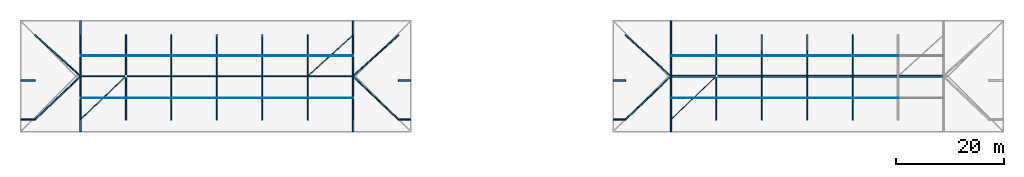
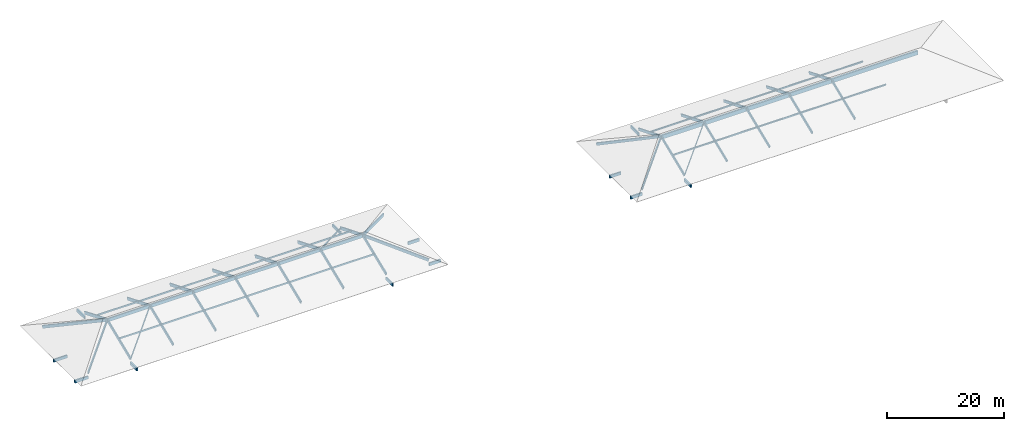
# One storey, part 1 of 5: 55 members, 14 beams.
"""IFC4 building model written with IfcOpenShell, lengths in metres."""

from ifc_helpers import new_model, si_unit, direction, frame, origin, origin_2d, place, context, subcontext, project, spatial, rectangle, hollow_rectangle, extrude, material, material_profile, profile_set, type_object, element, save


model = new_model("IFC4")

# Units and contexts
model_context = context("Model", 3, precision=1e-05, world=origin(), true_north=direction((0.0, 1.0)))
body_context = subcontext(model_context, "Body", "Model", "MODEL_VIEW")
ifc_project = project(units=[si_unit("LENGTHUNIT", "METRE"), si_unit("AREAUNIT", "SQUARE_METRE"), si_unit("VOLUMEUNIT", "CUBIC_METRE"), si_unit("PLANEANGLEUNIT", "RADIAN"), si_unit("MASSUNIT", "GRAM", prefix="KILO")], contexts=[model_context])

# Site, building, storey
site_placement = place(None, origin())
site = spatial("IfcSite", under=ifc_project, at=site_placement, CompositionType="ELEMENT")
building_placement = place(site_placement, origin())
building = spatial("IfcBuilding", under=site, at=building_placement, Name="Varncliffe General Hospital", CompositionType="ELEMENT")
storey_placement = place(building_placement, frame((0.0, 0.0, 37.199951171875)))
storey = spatial("IfcBuildingStorey", under=building, at=storey_placement, Name="RF", CompositionType="ELEMENT", Elevation=37.199951171875)

# Beams
ifc_material_1 = material(Name="Glulam GL28h (CSA O86 24f-EX, 30 MPa)", Category="wood")
ifc_material_profile_1 = material_profile(ifc_material_1, rectangle(XDim=0.264892578125, YDim=0.68408203125, at=origin_2d()), Name="GL 265x684")
ifc_profile_set_1 = profile_set([ifc_material_profile_1], Name="Glulam GL28h (CSA O86 24f-EX, 30 MPa)")
beam_type_1 = type_object("IfcBeamType", Name="Beam B72 (Int GL 265x684)", PredefinedType="BEAM", material=ifc_profile_set_1)
beam_1_placement = place(storey_placement, frame((8.239990234375, 117.199951171875, 3.59716796875), z_axis=(1.0, 0.0, 0.0), x_axis=(0.0, 1.0, 0.0)))
element("IfcBeam", 1, at=beam_1_placement, inside=storey, type_object=beam_type_1, Name="RF RF-V6-NW Glulam Ridge Girder", PredefinedType="BEAM", context=body_context, shape_type="SweptSolid", body=[
    extrude(rectangle(XDim=0.264892578125, YDim=0.68408203125, at=origin_2d()), origin(), (0.0, 0.0, 1.0), 50.719970703125),
])
ifc_material_profile_2 = material_profile(ifc_material_1, rectangle(XDim=0.31494140625, YDim=0.8359375, at=origin_2d()), Name="GL 315x836")
ifc_profile_set_2 = profile_set([ifc_material_profile_2], Name="Glulam GL28h (CSA O86 24f-EX, 30 MPa)")
beam_type_2 = type_object("IfcBeamType", Name="Beam B74 (Int GL 315x836)", PredefinedType="BEAM", material=ifc_profile_set_2)
beam_2_placement = place(storey_placement, frame((117.43994140625, 117.199951171875, 3.499267578125), z_axis=(1.0, 0.0, 0.0), x_axis=(0.0, 1.0, 0.0)))
element("IfcBeam", 2, at=beam_2_placement, inside=storey, type_object=beam_type_2, Name="RF RF-V6-NE Glulam Ridge Girder", PredefinedType="BEAM", context=body_context, shape_type="SweptSolid", body=[
    extrude(rectangle(XDim=0.31494140625, YDim=0.8359375, at=origin_2d()), origin(), (0.0, 0.0, 1.0), 50.719970703125),
])
ifc_material_profile_3 = material_profile(ifc_material_1, rectangle(XDim=0.264892578125, YDim=0.60791015625, at=origin_2d()), Name="GL 265x608")
ifc_profile_set_3 = profile_set([ifc_material_profile_3], Name="Glulam GL28h (CSA O86 24f-EX, 30 MPa)")
beam_type_3 = type_object("IfcBeamType", Name="Beam B82 (Ext GL 265x608)", PredefinedType="BEAM", material=ifc_profile_set_3)
for number, where, z_axis, x_axis, name in (
    (3, (8.39990234375, 106.93994140625, -0.499755859375), (0.0, 1.0, 0.0), (-1.0, 0.0, 0.0), "RF RF-V6-NW South Eave Lookout Bracket 1"),
    (4, (58.800048828125, 106.93994140625, -0.499755859375), (0.0, 1.0, 0.0), (-1.0, 0.0, 0.0), "RF RF-V6-NW South Eave Lookout Bracket 2"),
):
    element("IfcBeam", number, at=place(storey_placement, frame(where, z_axis=z_axis, x_axis=x_axis)), inside=storey, type_object=beam_type_3, Name=name, PredefinedType="BEAM", context=body_context, shape_type="SweptSolid", body=[
        extrude(rectangle(XDim=0.264892578125, YDim=0.60791015625, at=origin_2d()), origin(), (0.0, 0.0, 1.0), 2.260009765625),
    ])
for number, where, z_axis, x_axis, name in (
    (5, (8.39990234375, 124.800048828125, -0.499755859375), (0.0, 1.0, 0.0), (-1.0, 0.0, 0.0), "RF RF-V6-NW North Eave Lookout Bracket 1"),
    (6, (58.800048828125, 124.800048828125, -0.499755859375), (0.0, 1.0, 0.0), (-1.0, 0.0, 0.0), "RF RF-V6-NW North Eave Lookout Bracket 2"),
    (7, (-2.659912109375, 116.39990234375, -0.499755859375), (1.0, 0.0, 0.0), (0.0, 1.0, 0.0), "RF RF-V6-NW West Eave Lookout Bracket 1"),
    (8, (-2.659912109375, 109.199951171875, -0.499755859375), (1.0, 0.0, 0.0), (0.0, 1.0, 0.0), "RF RF-V6-NW West Eave Lookout Bracket 2"),
):
    element("IfcBeam", number, at=place(storey_placement, frame(where, z_axis=z_axis, x_axis=x_axis)), inside=storey, type_object=beam_type_3, Name=name, PredefinedType="BEAM", context=body_context, shape_type="SweptSolid", body=[
        extrude(rectangle(XDim=0.264892578125, YDim=0.60791015625, at=origin_2d()), origin(), (0.0, 0.0, 1.0), 2.659912109375),
    ])
for number, where, z_axis, x_axis, name in (
    (9, (67.199951171875, 116.39990234375, -0.499755859375), (1.0, 0.0, 0.0), (0.0, 1.0, 0.0), "RF RF-V6-NW East Eave Lookout Bracket 1"),
    (10, (67.199951171875, 109.199951171875, -0.499755859375), (1.0, 0.0, 0.0), (0.0, 1.0, 0.0), "RF RF-V6-NW East Eave Lookout Bracket 2"),
    (11, (117.60009765625, 106.93994140625, -0.521240234375), (0.0, 1.0, 0.0), (-1.0, 0.0, 0.0), "RF RF-V6-NE South Eave Lookout Bracket 1"),
):
    element("IfcBeam", number, at=place(storey_placement, frame(where, z_axis=z_axis, x_axis=x_axis)), inside=storey, type_object=beam_type_3, Name=name, PredefinedType="BEAM", context=body_context, shape_type="SweptSolid", body=[
        extrude(rectangle(XDim=0.264892578125, YDim=0.60791015625, at=origin_2d()), origin(), (0.0, 0.0, 1.0), 2.260009765625),
    ])
beam_3_placement = place(storey_placement, frame((117.60009765625, 124.800048828125, -0.521240234375), z_axis=(0.0, 1.0, 0.0), x_axis=(-1.0, 0.0, 0.0)))
element("IfcBeam", 12, at=beam_3_placement, inside=storey, type_object=beam_type_3, Name="RF RF-V6-NE North Eave Lookout Bracket 1", PredefinedType="BEAM", context=body_context, shape_type="SweptSolid", body=[
    extrude(rectangle(XDim=0.264892578125, YDim=0.60791015625, at=origin_2d()), origin(), (0.0, 0.0, 1.0), 2.659912109375),
])
for number, where, z_axis, x_axis, name in (
    (13, (106.93994140625, 116.39990234375, -0.521240234375), (1.0, 0.0, 0.0), (0.0, 1.0, 0.0), "RF RF-V6-NE West Eave Lookout Bracket 1"),
    (14, (106.93994140625, 109.199951171875, -0.521240234375), (1.0, 0.0, 0.0), (0.0, 1.0, 0.0), "RF RF-V6-NE West Eave Lookout Bracket 2"),
):
    element("IfcBeam", number, at=place(storey_placement, frame(where, z_axis=z_axis, x_axis=x_axis)), inside=storey, type_object=beam_type_3, Name=name, PredefinedType="BEAM", context=body_context, shape_type="SweptSolid", body=[
        extrude(rectangle(XDim=0.264892578125, YDim=0.60791015625, at=origin_2d()), origin(), (0.0, 0.0, 1.0), 2.260009765625),
    ])

# Members
ifc_material_profile_4 = material_profile(ifc_material_1, rectangle(XDim=0.215087890625, YDim=0.60791015625, at=origin_2d()), Name="GL 215x608")
ifc_profile_set_4 = profile_set([ifc_material_profile_4], Name="Glulam GL28h (CSA O86 24f-EX, 30 MPa)")
member_type_1 = type_object("IfcMemberType", Name="Member MB20 (RAFTER Int GL 215x608)", PredefinedType="RAFTER", material=ifc_profile_set_4)
member_1_placement = place(storey_placement, frame((0.0, 109.199951171875, 0.38525390625), z_axis=(0.696894935969, 0.663716243676, 0.271695042466), x_axis=(-0.689658867099, 0.724134412269, 0.0)))
element("IfcMember", 15, at=member_1_placement, inside=storey, type_object=member_type_1, Name="RF RF-V6-NW Hip Rafter SW", PredefinedType="RAFTER", context=body_context, shape_type="SweptSolid", body=[
    extrude(rectangle(XDim=0.215087890625, YDim=0.60791015625, at=origin_2d()), origin(), (0.0, 0.0, 1.0), 12.00146484375),
])
member_2_placement = place(storey_placement, frame((0.0, 124.800048828125, 0.549560546875), z_axis=(0.715044310758, -0.646971691578, 0.264838184463), x_axis=(0.670928628406, 0.741521931965, 0.0)))
element("IfcMember", 16, at=member_2_placement, inside=storey, type_object=member_type_1, Name="RF RF-V6-NW Hip Rafter NW", PredefinedType="RAFTER", context=body_context, shape_type="SweptSolid", body=[
    extrude(rectangle(XDim=0.215087890625, YDim=0.60791015625, at=origin_2d()), origin(), (0.0, 0.0, 1.0), 11.695556640625),
])
member_3_placement = place(storey_placement, frame((67.199951171875, 109.199951171875, 0.38525390625), z_axis=(-0.696894935969, 0.663716243676, 0.271695042466), x_axis=(-0.689658867099, -0.724134412269, 0.0)))
element("IfcMember", 17, at=member_3_placement, inside=storey, type_object=member_type_1, Name="RF RF-V6-NW Hip Rafter SE", PredefinedType="RAFTER", context=body_context, shape_type="SweptSolid", body=[
    extrude(rectangle(XDim=0.215087890625, YDim=0.60791015625, at=origin_2d()), origin(), (0.0, 0.0, 1.0), 12.00146484375),
])
member_4_placement = place(storey_placement, frame((67.199951171875, 124.800048828125, 0.384765625), z_axis=(-0.712341219706, -0.64452593631, 0.277770236224), x_axis=(0.670928628406, -0.741521931965, 0.0)))
element("IfcMember", 18, at=member_4_placement, inside=storey, type_object=member_type_1, Name="RF RF-V6-NW Hip Rafter NE", PredefinedType="RAFTER", context=body_context, shape_type="SweptSolid", body=[
    extrude(rectangle(XDim=0.215087890625, YDim=0.60791015625, at=origin_2d()), origin(), (0.0, 0.0, 1.0), 11.739990234375),
])
member_5_placement = place(storey_placement, frame((8.39990234375, 109.199951171875, 0.37255859375), z_axis=(0.0, 0.925461714413, 0.378841147653), x_axis=(-1.0, 0.0, 0.0)))
element("IfcMember", 19, at=member_5_placement, inside=storey, type_object=member_type_1, Name="RF RF-V6-NW South Sloped Glulam Rafter 1", PredefinedType="RAFTER", context=body_context, shape_type="SweptSolid", body=[
    extrude(rectangle(XDim=0.215087890625, YDim=0.60791015625, at=origin_2d()), origin(), (0.0, 0.0, 1.0), 8.579345703125),
])
member_6_placement = place(storey_placement, frame((8.39990234375, 124.800048828125, 0.536376953125), z_axis=(0.0, -0.925466743526, 0.378828861924), x_axis=(1.0, 0.0, 0.0)))
element("IfcMember", 20, at=member_6_placement, inside=storey, type_object=member_type_1, Name="RF RF-V6-NW North Sloped Glulam Rafter 1", PredefinedType="RAFTER", context=body_context, shape_type="SweptSolid", body=[
    extrude(rectangle(XDim=0.215087890625, YDim=0.60791015625, at=origin_2d()), origin(), (0.0, 0.0, 1.0), 8.147216796875),
])
member_7_placement = place(storey_placement, frame((16.800048828125, 109.199951171875, 0.37255859375), z_axis=(0.0, 0.925461714413, 0.378841147653), x_axis=(-1.0, 0.0, 0.0)))
element("IfcMember", 21, at=member_7_placement, inside=storey, type_object=member_type_1, Name="RF RF-V6-NW South Sloped Glulam Rafter 2", PredefinedType="RAFTER", context=body_context, shape_type="SweptSolid", body=[
    extrude(rectangle(XDim=0.215087890625, YDim=0.60791015625, at=origin_2d()), origin(), (0.0, 0.0, 1.0), 8.579345703125),
])
member_8_placement = place(storey_placement, frame((16.800048828125, 124.800048828125, 0.536376953125), z_axis=(0.0, -0.925466743526, 0.378828861924), x_axis=(1.0, 0.0, 0.0)))
element("IfcMember", 22, at=member_8_placement, inside=storey, type_object=member_type_1, Name="RF RF-V6-NW North Sloped Glulam Rafter 2", PredefinedType="RAFTER", context=body_context, shape_type="SweptSolid", body=[
    extrude(rectangle(XDim=0.215087890625, YDim=0.60791015625, at=origin_2d()), origin(), (0.0, 0.0, 1.0), 8.147216796875),
])
member_9_placement = place(storey_placement, frame((25.199951171875, 109.199951171875, 0.37255859375), z_axis=(0.0, 0.925461714413, 0.378841147653), x_axis=(-1.0, 0.0, 0.0)))
element("IfcMember", 23, at=member_9_placement, inside=storey, type_object=member_type_1, Name="RF RF-V6-NW South Sloped Glulam Rafter 3", PredefinedType="RAFTER", context=body_context, shape_type="SweptSolid", body=[
    extrude(rectangle(XDim=0.215087890625, YDim=0.60791015625, at=origin_2d()), origin(), (0.0, 0.0, 1.0), 8.579345703125),
])
member_10_placement = place(storey_placement, frame((25.199951171875, 124.800048828125, 0.536376953125), z_axis=(0.0, -0.925466743526, 0.378828861924), x_axis=(1.0, 0.0, 0.0)))
element("IfcMember", 24, at=member_10_placement, inside=storey, type_object=member_type_1, Name="RF RF-V6-NW North Sloped Glulam Rafter 3", PredefinedType="RAFTER", context=body_context, shape_type="SweptSolid", body=[
    extrude(rectangle(XDim=0.215087890625, YDim=0.60791015625, at=origin_2d()), origin(), (0.0, 0.0, 1.0), 8.147216796875),
])
member_11_placement = place(storey_placement, frame((33.60009765625, 109.199951171875, 0.37255859375), z_axis=(0.0, 0.925461714413, 0.378841147653), x_axis=(-1.0, 0.0, 0.0)))
element("IfcMember", 25, at=member_11_placement, inside=storey, type_object=member_type_1, Name="RF RF-V6-NW South Sloped Glulam Rafter 4", PredefinedType="RAFTER", context=body_context, shape_type="SweptSolid", body=[
    extrude(rectangle(XDim=0.215087890625, YDim=0.60791015625, at=origin_2d()), origin(), (0.0, 0.0, 1.0), 8.579345703125),
])
member_12_placement = place(storey_placement, frame((33.60009765625, 124.800048828125, 0.536376953125), z_axis=(0.0, -0.925466743526, 0.378828861924), x_axis=(1.0, 0.0, 0.0)))
element("IfcMember", 26, at=member_12_placement, inside=storey, type_object=member_type_1, Name="RF RF-V6-NW North Sloped Glulam Rafter 4", PredefinedType="RAFTER", context=body_context, shape_type="SweptSolid", body=[
    extrude(rectangle(XDim=0.215087890625, YDim=0.60791015625, at=origin_2d()), origin(), (0.0, 0.0, 1.0), 8.147216796875),
])
member_13_placement = place(storey_placement, frame((42.0, 109.199951171875, 0.37255859375), z_axis=(0.0, 0.925461714413, 0.378841147653), x_axis=(-1.0, 0.0, 0.0)))
element("IfcMember", 27, at=member_13_placement, inside=storey, type_object=member_type_1, Name="RF RF-V6-NW South Sloped Glulam Rafter 5", PredefinedType="RAFTER", context=body_context, shape_type="SweptSolid", body=[
    extrude(rectangle(XDim=0.215087890625, YDim=0.60791015625, at=origin_2d()), origin(), (0.0, 0.0, 1.0), 8.579345703125),
])
member_14_placement = place(storey_placement, frame((42.0, 124.800048828125, 0.536376953125), z_axis=(0.0, -0.925466743526, 0.378828861924), x_axis=(1.0, 0.0, 0.0)))
element("IfcMember", 28, at=member_14_placement, inside=storey, type_object=member_type_1, Name="RF RF-V6-NW North Sloped Glulam Rafter 5", PredefinedType="RAFTER", context=body_context, shape_type="SweptSolid", body=[
    extrude(rectangle(XDim=0.215087890625, YDim=0.60791015625, at=origin_2d()), origin(), (0.0, 0.0, 1.0), 8.147216796875),
])
member_15_placement = place(storey_placement, frame((50.39990234375, 109.199951171875, 0.37255859375), z_axis=(0.0, 0.925461714413, 0.378841147653), x_axis=(-1.0, 0.0, 0.0)))
element("IfcMember", 29, at=member_15_placement, inside=storey, type_object=member_type_1, Name="RF RF-V6-NW South Sloped Glulam Rafter 6", PredefinedType="RAFTER", context=body_context, shape_type="SweptSolid", body=[
    extrude(rectangle(XDim=0.215087890625, YDim=0.60791015625, at=origin_2d()), origin(), (0.0, 0.0, 1.0), 8.579345703125),
])
member_16_placement = place(storey_placement, frame((50.39990234375, 124.800048828125, 0.536376953125), z_axis=(0.0, -0.925466743526, 0.378828861924), x_axis=(1.0, 0.0, 0.0)))
element("IfcMember", 30, at=member_16_placement, inside=storey, type_object=member_type_1, Name="RF RF-V6-NW North Sloped Glulam Rafter 6", PredefinedType="RAFTER", context=body_context, shape_type="SweptSolid", body=[
    extrude(rectangle(XDim=0.215087890625, YDim=0.60791015625, at=origin_2d()), origin(), (0.0, 0.0, 1.0), 8.147216796875),
])
member_17_placement = place(storey_placement, frame((58.800048828125, 109.199951171875, 0.37255859375), z_axis=(0.0, 0.925461714413, 0.378841147653), x_axis=(-1.0, 0.0, 0.0)))
element("IfcMember", 31, at=member_17_placement, inside=storey, type_object=member_type_1, Name="RF RF-V6-NW South Sloped Glulam Rafter 7", PredefinedType="RAFTER", context=body_context, shape_type="SweptSolid", body=[
    extrude(rectangle(XDim=0.215087890625, YDim=0.60791015625, at=origin_2d()), origin(), (0.0, 0.0, 1.0), 8.579345703125),
])
member_18_placement = place(storey_placement, frame((58.800048828125, 124.800048828125, 0.536376953125), z_axis=(0.0, -0.925466743526, 0.378828861924), x_axis=(1.0, 0.0, 0.0)))
element("IfcMember", 32, at=member_18_placement, inside=storey, type_object=member_type_1, Name="RF RF-V6-NW North Sloped Glulam Rafter 7", PredefinedType="RAFTER", context=body_context, shape_type="SweptSolid", body=[
    extrude(rectangle(XDim=0.215087890625, YDim=0.60791015625, at=origin_2d()), origin(), (0.0, 0.0, 1.0), 8.147216796875),
])
ifc_material_2 = material(Name="Steel S355 (CSA G40.21 350W)", Category="steel")
ifc_material_profile_5 = material_profile(ifc_material_2, hollow_rectangle(XDim=0.152099609375, YDim=0.25390625, WallThickness=0.009521484375, InnerFilletRadius=0.010009765625, OuterFilletRadius=0.01904296875, at=origin_2d()), Name="HSS 254x152x9.5")
ifc_profile_set_5 = profile_set([ifc_material_profile_5], Name="Steel S355 (CSA G40.21 350W)")
member_type_2 = type_object("IfcMemberType", Name="Member MB25 (BRACE Int HSS 254x152x9.5)", PredefinedType="BRACE", material=ifc_profile_set_5)
member_19_placement = place(storey_placement, frame((117.60009765625, 109.199951171875, 0.39208984375), z_axis=(0.699474944617, 0.666174358693, 0.258740266818), x_axis=(-0.689659376744, 0.724133926887, 0.0)))
element("IfcMember", 33, at=member_19_placement, inside=storey, type_object=member_type_2, Name="RF RF-V6-NE Lateral Wind Brace 1", PredefinedType="BRACE", context=body_context, shape_type="SweptSolid", body=[
    extrude(hollow_rectangle(XDim=0.152099609375, YDim=0.25390625, WallThickness=0.009521484375, InnerFilletRadius=0.010009765625, OuterFilletRadius=0.01904296875, at=origin_2d()), origin(), (0.0, 0.0, 1.0), 12.0087890625),
])
ifc_material_profile_6 = material_profile(ifc_material_1, rectangle(XDim=0.1298828125, YDim=0.342041015625, at=origin_2d()), Name="GL 130x342")
ifc_profile_set_6 = profile_set([ifc_material_profile_6], Name="Glulam GL28h (CSA O86 24f-EX, 30 MPa)")
member_type_3 = type_object("IfcMemberType", Name="Member MB31 (PURLIN Int GL 130x342)", PredefinedType="PURLIN", material=ifc_profile_set_6)
member_20_placement = place(storey_placement, frame((8.39990234375, 113.199951171875, 2.170654296875), z_axis=(1.0, 0.0, 0.0), x_axis=(0.0, 1.0, 0.0)))
element("IfcMember", 34, at=member_20_placement, inside=storey, type_object=member_type_3, Name="RF RF-V6-NW Timber Purlin S1", PredefinedType="PURLIN", context=body_context, shape_type="SweptSolid", body=[
    extrude(rectangle(XDim=0.1298828125, YDim=0.342041015625, at=origin_2d()), origin(), (0.0, 0.0, 1.0), 8.400146484375),
])
member_21_placement = place(storey_placement, frame((16.800048828125, 113.199951171875, 2.170654296875), z_axis=(1.0, 0.0, 0.0), x_axis=(0.0, 1.0, 0.0)))
element("IfcMember", 35, at=member_21_placement, inside=storey, type_object=member_type_3, Name="RF RF-V6-NW Timber Purlin S2", PredefinedType="PURLIN", context=body_context, shape_type="SweptSolid", body=[
    extrude(rectangle(XDim=0.1298828125, YDim=0.342041015625, at=origin_2d()), origin(), (0.0, 0.0, 1.0), 8.39990234375),
])
member_22_placement = place(storey_placement, frame((25.199951171875, 113.199951171875, 2.170654296875), z_axis=(1.0, 0.0, 0.0), x_axis=(0.0, 1.0, 0.0)))
element("IfcMember", 36, at=member_22_placement, inside=storey, type_object=member_type_3, Name="RF RF-V6-NW Timber Purlin S3", PredefinedType="PURLIN", context=body_context, shape_type="SweptSolid", body=[
    extrude(rectangle(XDim=0.1298828125, YDim=0.342041015625, at=origin_2d()), origin(), (0.0, 0.0, 1.0), 8.400146484375),
])
for number, where, z_axis, x_axis, name in (
    (37, (33.60009765625, 113.199951171875, 2.170654296875), (1.0, 0.0, 0.0), (0.0, 1.0, 0.0), "RF RF-V6-NW Timber Purlin S4"),
    (38, (42.0, 113.199951171875, 2.170654296875), (1.0, 0.0, 0.0), (0.0, 1.0, 0.0), "RF RF-V6-NW Timber Purlin S5"),
):
    element("IfcMember", number, at=place(storey_placement, frame(where, z_axis=z_axis, x_axis=x_axis)), inside=storey, type_object=member_type_3, Name=name, PredefinedType="PURLIN", context=body_context, shape_type="SweptSolid", body=[
        extrude(rectangle(XDim=0.1298828125, YDim=0.342041015625, at=origin_2d()), origin(), (0.0, 0.0, 1.0), 8.39990234375),
    ])
for number, where, z_axis, x_axis, name in (
    (39, (50.39990234375, 113.199951171875, 2.170654296875), (1.0, 0.0, 0.0), (0.0, 1.0, 0.0), "RF RF-V6-NW Timber Purlin S6"),
    (40, (8.39990234375, 121.0, 2.25244140625), (1.0, 0.0, 0.0), (0.0, 1.0, 0.0), "RF RF-V6-NW Timber Purlin N1"),
):
    element("IfcMember", number, at=place(storey_placement, frame(where, z_axis=z_axis, x_axis=x_axis)), inside=storey, type_object=member_type_3, Name=name, PredefinedType="PURLIN", context=body_context, shape_type="SweptSolid", body=[
        extrude(rectangle(XDim=0.1298828125, YDim=0.342041015625, at=origin_2d()), origin(), (0.0, 0.0, 1.0), 8.400146484375),
    ])
member_23_placement = place(storey_placement, frame((16.800048828125, 121.0, 2.25244140625), z_axis=(1.0, 0.0, 0.0), x_axis=(0.0, 1.0, 0.0)))
element("IfcMember", 41, at=member_23_placement, inside=storey, type_object=member_type_3, Name="RF RF-V6-NW Timber Purlin N2", PredefinedType="PURLIN", context=body_context, shape_type="SweptSolid", body=[
    extrude(rectangle(XDim=0.1298828125, YDim=0.342041015625, at=origin_2d()), origin(), (0.0, 0.0, 1.0), 8.39990234375),
])
member_24_placement = place(storey_placement, frame((25.199951171875, 121.0, 2.25244140625), z_axis=(1.0, 0.0, 0.0), x_axis=(0.0, 1.0, 0.0)))
element("IfcMember", 42, at=member_24_placement, inside=storey, type_object=member_type_3, Name="RF RF-V6-NW Timber Purlin N3", PredefinedType="PURLIN", context=body_context, shape_type="SweptSolid", body=[
    extrude(rectangle(XDim=0.1298828125, YDim=0.342041015625, at=origin_2d()), origin(), (0.0, 0.0, 1.0), 8.400146484375),
])
for number, where, z_axis, x_axis, name in (
    (43, (33.60009765625, 121.0, 2.25244140625), (1.0, 0.0, 0.0), (0.0, 1.0, 0.0), "RF RF-V6-NW Timber Purlin N4"),
    (44, (42.0, 121.0, 2.25244140625), (1.0, 0.0, 0.0), (0.0, 1.0, 0.0), "RF RF-V6-NW Timber Purlin N5"),
):
    element("IfcMember", number, at=place(storey_placement, frame(where, z_axis=z_axis, x_axis=x_axis)), inside=storey, type_object=member_type_3, Name=name, PredefinedType="PURLIN", context=body_context, shape_type="SweptSolid", body=[
        extrude(rectangle(XDim=0.1298828125, YDim=0.342041015625, at=origin_2d()), origin(), (0.0, 0.0, 1.0), 8.39990234375),
    ])
member_25_placement = place(storey_placement, frame((50.39990234375, 121.0, 2.25244140625), z_axis=(1.0, 0.0, 0.0), x_axis=(0.0, 1.0, 0.0)))
element("IfcMember", 45, at=member_25_placement, inside=storey, type_object=member_type_3, Name="RF RF-V6-NW Timber Purlin N6", PredefinedType="PURLIN", context=body_context, shape_type="SweptSolid", body=[
    extrude(rectangle(XDim=0.1298828125, YDim=0.342041015625, at=origin_2d()), origin(), (0.0, 0.0, 1.0), 8.400146484375),
])
ifc_material_profile_7 = material_profile(ifc_material_1, rectangle(XDim=0.1298828125, YDim=0.303955078125, at=origin_2d()), Name="GL 130x304")
ifc_profile_set_7 = profile_set([ifc_material_profile_7], Name="Glulam GL28h (CSA O86 24f-EX, 30 MPa)")
member_type_4 = type_object("IfcMemberType", Name="Member MB40 (PURLIN Int GL 130x304)", PredefinedType="PURLIN", material=ifc_profile_set_7)
for number, where, z_axis, x_axis, name in (
    (46, (117.60009765625, 113.199951171875, 2.16796875), (1.0, 0.0, 0.0), (0.0, 1.0, 0.0), "RF RF-V6-NE Timber Purlin S1"),
    (47, (126.0, 113.199951171875, 2.16796875), (1.0, 0.0, 0.0), (0.0, 1.0, 0.0), "RF RF-V6-NE Timber Purlin S2"),
):
    element("IfcMember", number, at=place(storey_placement, frame(where, z_axis=z_axis, x_axis=x_axis)), inside=storey, type_object=member_type_4, Name=name, PredefinedType="PURLIN", context=body_context, shape_type="SweptSolid", body=[
        extrude(rectangle(XDim=0.1298828125, YDim=0.303955078125, at=origin_2d()), origin(), (0.0, 0.0, 1.0), 8.39990234375),
    ])
member_26_placement = place(storey_placement, frame((134.39990234375, 113.199951171875, 2.16796875), z_axis=(1.0, 0.0, 0.0), x_axis=(0.0, 1.0, 0.0)))
element("IfcMember", 48, at=member_26_placement, inside=storey, type_object=member_type_4, Name="RF RF-V6-NE Timber Purlin S3", PredefinedType="PURLIN", context=body_context, shape_type="SweptSolid", body=[
    extrude(rectangle(XDim=0.1298828125, YDim=0.303955078125, at=origin_2d()), origin(), (0.0, 0.0, 1.0), 8.400146484375),
])
member_27_placement = place(storey_placement, frame((142.800048828125, 113.199951171875, 2.16796875), z_axis=(1.0, 0.0, 0.0), x_axis=(0.0, 1.0, 0.0)))
element("IfcMember", 49, at=member_27_placement, inside=storey, type_object=member_type_4, Name="RF RF-V6-NE Timber Purlin S4", PredefinedType="PURLIN", context=body_context, shape_type="SweptSolid", body=[
    extrude(rectangle(XDim=0.1298828125, YDim=0.303955078125, at=origin_2d()), origin(), (0.0, 0.0, 1.0), 8.39990234375),
])
member_28_placement = place(storey_placement, frame((151.199951171875, 113.199951171875, 2.16796875), z_axis=(1.0, 0.0, 0.0), x_axis=(0.0, 1.0, 0.0)))
element("IfcMember", 50, at=member_28_placement, inside=storey, type_object=member_type_4, Name="RF RF-V6-NE Timber Purlin S5", PredefinedType="PURLIN", context=body_context, shape_type="SweptSolid", body=[
    extrude(rectangle(XDim=0.1298828125, YDim=0.303955078125, at=origin_2d()), origin(), (0.0, 0.0, 1.0), 8.400146484375),
])
for number, where, z_axis, x_axis, name in (
    (51, (117.60009765625, 121.0, 2.249755859375), (1.0, 0.0, 0.0), (0.0, 1.0, 0.0), "RF RF-V6-NE Timber Purlin N1"),
    (52, (126.0, 121.0, 2.249755859375), (1.0, 0.0, 0.0), (0.0, 1.0, 0.0), "RF RF-V6-NE Timber Purlin N2"),
):
    element("IfcMember", number, at=place(storey_placement, frame(where, z_axis=z_axis, x_axis=x_axis)), inside=storey, type_object=member_type_4, Name=name, PredefinedType="PURLIN", context=body_context, shape_type="SweptSolid", body=[
        extrude(rectangle(XDim=0.1298828125, YDim=0.303955078125, at=origin_2d()), origin(), (0.0, 0.0, 1.0), 8.39990234375),
    ])
member_29_placement = place(storey_placement, frame((134.39990234375, 121.0, 2.249755859375), z_axis=(1.0, 0.0, 0.0), x_axis=(0.0, 1.0, 0.0)))
element("IfcMember", 53, at=member_29_placement, inside=storey, type_object=member_type_4, Name="RF RF-V6-NE Timber Purlin N3", PredefinedType="PURLIN", context=body_context, shape_type="SweptSolid", body=[
    extrude(rectangle(XDim=0.1298828125, YDim=0.303955078125, at=origin_2d()), origin(), (0.0, 0.0, 1.0), 8.400146484375),
])
member_30_placement = place(storey_placement, frame((142.800048828125, 121.0, 2.249755859375), z_axis=(1.0, 0.0, 0.0), x_axis=(0.0, 1.0, 0.0)))
element("IfcMember", 54, at=member_30_placement, inside=storey, type_object=member_type_4, Name="RF RF-V6-NE Timber Purlin N4", PredefinedType="PURLIN", context=body_context, shape_type="SweptSolid", body=[
    extrude(rectangle(XDim=0.1298828125, YDim=0.303955078125, at=origin_2d()), origin(), (0.0, 0.0, 1.0), 8.39990234375),
])
member_31_placement = place(storey_placement, frame((151.199951171875, 121.0, 2.249755859375), z_axis=(1.0, 0.0, 0.0), x_axis=(0.0, 1.0, 0.0)))
element("IfcMember", 55, at=member_31_placement, inside=storey, type_object=member_type_4, Name="RF RF-V6-NE Timber Purlin N5", PredefinedType="PURLIN", context=body_context, shape_type="SweptSolid", body=[
    extrude(rectangle(XDim=0.1298828125, YDim=0.303955078125, at=origin_2d()), origin(), (0.0, 0.0, 1.0), 8.400146484375),
])
ifc_material_profile_8 = material_profile(ifc_material_1, rectangle(XDim=0.215087890625, YDim=0.531982421875, at=origin_2d()), Name="GL 215x532")
ifc_profile_set_8 = profile_set([ifc_material_profile_8], Name="Glulam GL28h (CSA O86 24f-EX, 30 MPa)")
member_type_5 = type_object("IfcMemberType", Name="Member MB62 (RAFTER Int GL 215x532)", PredefinedType="RAFTER", material=ifc_profile_set_8)
member_32_placement = place(storey_placement, frame((109.199951171875, 109.199951171875, 0.403076171875), z_axis=(0.696894935969, 0.663716243676, 0.271695042466), x_axis=(-0.689658867099, 0.724134412269, 0.0)))
element("IfcMember", 56, at=member_32_placement, inside=storey, type_object=member_type_5, Name="RF RF-V6-NE Hip Rafter SW", PredefinedType="RAFTER", context=body_context, shape_type="SweptSolid", body=[
    extrude(rectangle(XDim=0.215087890625, YDim=0.531982421875, at=origin_2d()), origin(), (0.0, 0.0, 1.0), 12.00146484375),
])
member_33_placement = place(storey_placement, frame((109.199951171875, 124.800048828125, 0.402587890625), z_axis=(0.712347348019, -0.644512665514, 0.277785312359), x_axis=(0.670917858574, 0.741531676361, 0.0)))
element("IfcMember", 57, at=member_33_placement, inside=storey, type_object=member_type_5, Name="RF RF-V6-NE Hip Rafter NW", PredefinedType="RAFTER", context=body_context, shape_type="SweptSolid", body=[
    extrude(rectangle(XDim=0.215087890625, YDim=0.531982421875, at=origin_2d()), origin(), (0.0, 0.0, 1.0), 11.739990234375),
])
member_34_placement = place(storey_placement, frame((117.60009765625, 109.199951171875, 0.39208984375), z_axis=(0.0, 0.925461714413, 0.378841147653), x_axis=(-1.0, 0.0, 0.0)))
element("IfcMember", 58, at=member_34_placement, inside=storey, type_object=member_type_5, Name="RF RF-V6-NE South Sloped Glulam Rafter 1", PredefinedType="RAFTER", context=body_context, shape_type="SweptSolid", body=[
    extrude(rectangle(XDim=0.215087890625, YDim=0.531982421875, at=origin_2d()), origin(), (0.0, 0.0, 1.0), 8.579345703125),
])
member_35_placement = place(storey_placement, frame((117.60009765625, 124.800048828125, 0.5556640625), z_axis=(0.0, -0.925456237441, 0.378854526938), x_axis=(1.0, 0.0, 0.0)))
element("IfcMember", 59, at=member_35_placement, inside=storey, type_object=member_type_5, Name="RF RF-V6-NE North Sloped Glulam Rafter 1", PredefinedType="RAFTER", context=body_context, shape_type="SweptSolid", body=[
    extrude(rectangle(XDim=0.215087890625, YDim=0.531982421875, at=origin_2d()), origin(), (0.0, 0.0, 1.0), 8.1474609375),
])
member_36_placement = place(storey_placement, frame((126.0, 109.199951171875, 0.39208984375), z_axis=(0.0, 0.925461714413, 0.378841147653), x_axis=(-1.0, 0.0, 0.0)))
element("IfcMember", 60, at=member_36_placement, inside=storey, type_object=member_type_5, Name="RF RF-V6-NE South Sloped Glulam Rafter 2", PredefinedType="RAFTER", context=body_context, shape_type="SweptSolid", body=[
    extrude(rectangle(XDim=0.215087890625, YDim=0.531982421875, at=origin_2d()), origin(), (0.0, 0.0, 1.0), 8.579345703125),
])
member_37_placement = place(storey_placement, frame((126.0, 124.800048828125, 0.5556640625), z_axis=(0.0, -0.925456237441, 0.378854526938), x_axis=(1.0, 0.0, 0.0)))
element("IfcMember", 61, at=member_37_placement, inside=storey, type_object=member_type_5, Name="RF RF-V6-NE North Sloped Glulam Rafter 2", PredefinedType="RAFTER", context=body_context, shape_type="SweptSolid", body=[
    extrude(rectangle(XDim=0.215087890625, YDim=0.531982421875, at=origin_2d()), origin(), (0.0, 0.0, 1.0), 8.1474609375),
])
member_38_placement = place(storey_placement, frame((134.39990234375, 109.199951171875, 0.39208984375), z_axis=(0.0, 0.925461714413, 0.378841147653), x_axis=(-1.0, 0.0, 0.0)))
element("IfcMember", 62, at=member_38_placement, inside=storey, type_object=member_type_5, Name="RF RF-V6-NE South Sloped Glulam Rafter 3", PredefinedType="RAFTER", context=body_context, shape_type="SweptSolid", body=[
    extrude(rectangle(XDim=0.215087890625, YDim=0.531982421875, at=origin_2d()), origin(), (0.0, 0.0, 1.0), 8.579345703125),
])
member_39_placement = place(storey_placement, frame((134.39990234375, 124.800048828125, 0.5556640625), z_axis=(0.0, -0.925456237441, 0.378854526938), x_axis=(1.0, 0.0, 0.0)))
element("IfcMember", 63, at=member_39_placement, inside=storey, type_object=member_type_5, Name="RF RF-V6-NE North Sloped Glulam Rafter 3", PredefinedType="RAFTER", context=body_context, shape_type="SweptSolid", body=[
    extrude(rectangle(XDim=0.215087890625, YDim=0.531982421875, at=origin_2d()), origin(), (0.0, 0.0, 1.0), 8.1474609375),
])
member_40_placement = place(storey_placement, frame((142.800048828125, 109.199951171875, 0.39208984375), z_axis=(0.0, 0.925461714413, 0.378841147653), x_axis=(-1.0, 0.0, 0.0)))
element("IfcMember", 64, at=member_40_placement, inside=storey, type_object=member_type_5, Name="RF RF-V6-NE South Sloped Glulam Rafter 4", PredefinedType="RAFTER", context=body_context, shape_type="SweptSolid", body=[
    extrude(rectangle(XDim=0.215087890625, YDim=0.531982421875, at=origin_2d()), origin(), (0.0, 0.0, 1.0), 8.579345703125),
])
member_41_placement = place(storey_placement, frame((142.800048828125, 124.800048828125, 0.5556640625), z_axis=(0.0, -0.925456237441, 0.378854526938), x_axis=(1.0, 0.0, 0.0)))
element("IfcMember", 65, at=member_41_placement, inside=storey, type_object=member_type_5, Name="RF RF-V6-NE North Sloped Glulam Rafter 4", PredefinedType="RAFTER", context=body_context, shape_type="SweptSolid", body=[
    extrude(rectangle(XDim=0.215087890625, YDim=0.531982421875, at=origin_2d()), origin(), (0.0, 0.0, 1.0), 8.1474609375),
])
member_42_placement = place(storey_placement, frame((151.199951171875, 109.199951171875, 0.39208984375), z_axis=(0.0, 0.925461714413, 0.378841147653), x_axis=(-1.0, 0.0, 0.0)))
element("IfcMember", 66, at=member_42_placement, inside=storey, type_object=member_type_5, Name="RF RF-V6-NE South Sloped Glulam Rafter 5", PredefinedType="RAFTER", context=body_context, shape_type="SweptSolid", body=[
    extrude(rectangle(XDim=0.215087890625, YDim=0.531982421875, at=origin_2d()), origin(), (0.0, 0.0, 1.0), 8.579345703125),
])
member_43_placement = place(storey_placement, frame((151.199951171875, 124.800048828125, 0.5556640625), z_axis=(0.0, -0.925456237441, 0.378854526938), x_axis=(1.0, 0.0, 0.0)))
element("IfcMember", 67, at=member_43_placement, inside=storey, type_object=member_type_5, Name="RF RF-V6-NE North Sloped Glulam Rafter 5", PredefinedType="RAFTER", context=body_context, shape_type="SweptSolid", body=[
    extrude(rectangle(XDim=0.215087890625, YDim=0.531982421875, at=origin_2d()), origin(), (0.0, 0.0, 1.0), 8.1474609375),
])
ifc_material_profile_9 = material_profile(ifc_material_2, hollow_rectangle(XDim=0.202880859375, YDim=0.202880859375, WallThickness=0.009521484375, InnerFilletRadius=0.010009765625, OuterFilletRadius=0.01904296875, at=origin_2d()), Name="HSS 203x203x9.5")
ifc_profile_set_9 = profile_set([ifc_material_profile_9], Name="Steel S355 (CSA G40.21 350W)")
member_type_6 = type_object("IfcMemberType", Name="Member MB87 (BRACE Int HSS 203x203x9.5)", PredefinedType="BRACE", material=ifc_profile_set_9)
member_44_placement = place(storey_placement, frame((8.39990234375, 109.199951171875, 0.37255859375), z_axis=(0.69768907197, 0.664454195667, 0.267825653576), x_axis=(-0.689648865971, 0.724143937118, 0.0)))
element("IfcMember", 68, at=member_44_placement, inside=storey, type_object=member_type_6, Name="RF RF-V6-NW Lateral Wind Brace 1", PredefinedType="BRACE", context=body_context, shape_type="SweptSolid", body=[
    extrude(hollow_rectangle(XDim=0.202880859375, YDim=0.202880859375, WallThickness=0.009521484375, InnerFilletRadius=0.010009765625, OuterFilletRadius=0.01904296875, at=origin_2d()), origin(), (0.0, 0.0, 1.0), 12.0400390625),
])
member_45_placement = place(storey_placement, frame((58.800048828125, 124.800048828125, 0.536376953125), z_axis=(-0.715866262055, -0.64768555055, 0.260842715941), x_axis=(0.670911630985, -0.741537310868, 0.0)))
element("IfcMember", 69, at=member_45_placement, inside=storey, type_object=member_type_6, Name="RF RF-V6-NW Lateral Wind Brace 2", PredefinedType="BRACE", context=body_context, shape_type="SweptSolid", body=[
    extrude(hollow_rectangle(XDim=0.202880859375, YDim=0.202880859375, WallThickness=0.009521484375, InnerFilletRadius=0.010009765625, OuterFilletRadius=0.01904296875, at=origin_2d()), origin(), (0.0, 0.0, 1.0), 11.734130859375),
])

save(model, "model.ifc")
